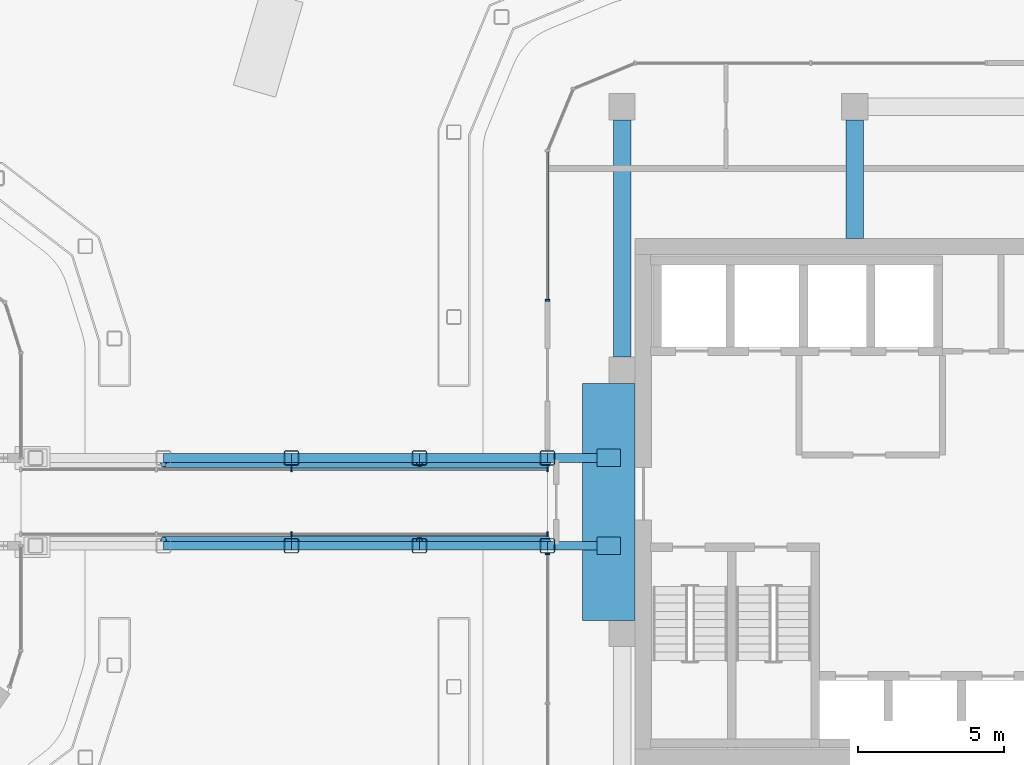
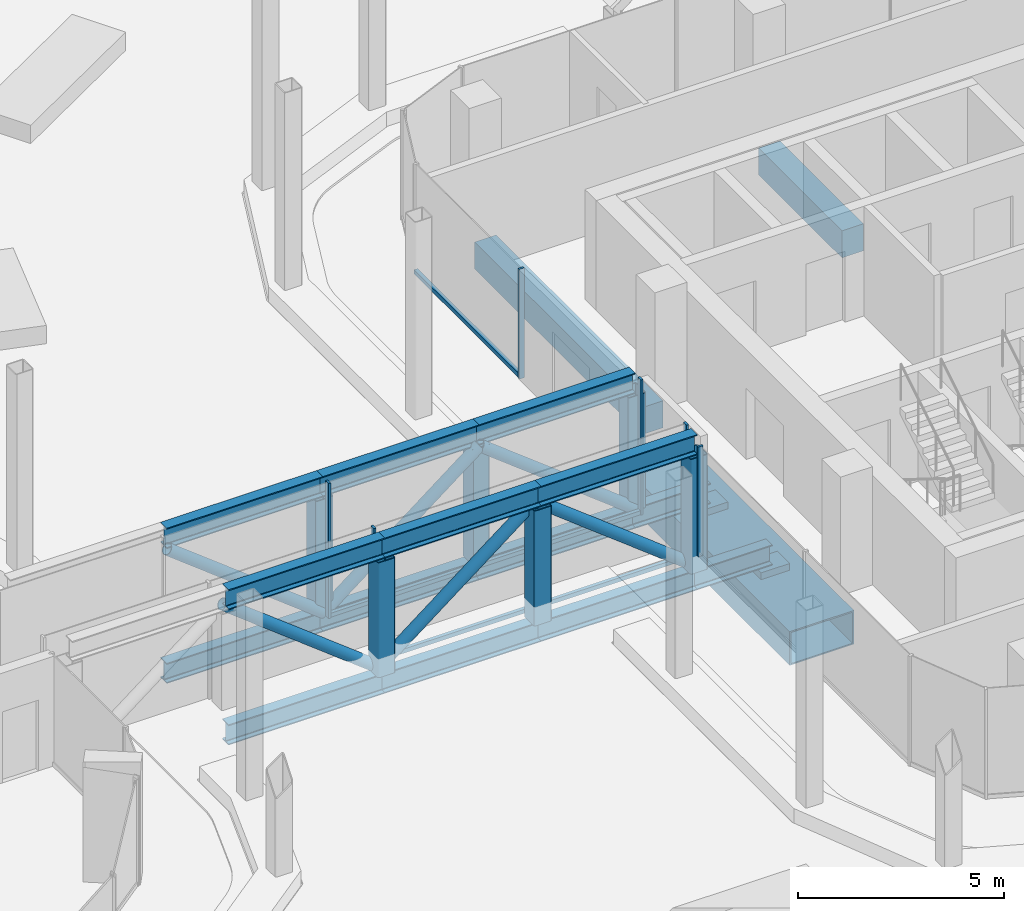
# One storey, part 14 of 33: 37 members, 3 beams, 4 elements without a shape of their own.
"""IFC4 building model written with IfcOpenShell, lengths in metres."""

from ifc_helpers import new_model, si_unit, direction, frame, origin, origin_2d, place, context, subcontext, project, spatial, rectangle, hollow_rectangle, hollow_circle, i_section, extrude, material, layer, layer_set, material_profile, profile_set, type_object, element, aggregate, save


model = new_model("IFC4")

# Units and contexts
model_context = context("Model", 3, precision=1e-05, world=origin(), true_north=direction((0.0, 1.0)))
body_context = subcontext(model_context, "Body", "Model", "MODEL_VIEW")
ifc_project = project(units=[si_unit("LENGTHUNIT", "METRE"), si_unit("AREAUNIT", "SQUARE_METRE"), si_unit("VOLUMEUNIT", "CUBIC_METRE"), si_unit("PLANEANGLEUNIT", "RADIAN"), si_unit("MASSUNIT", "GRAM", prefix="KILO")], contexts=[model_context])

# Site, building, storey
site_placement = place(None, origin())
site = spatial("IfcSite", under=ifc_project, at=site_placement, CompositionType="ELEMENT")
building_placement = place(site_placement, origin())
building = spatial("IfcBuilding", under=site, at=building_placement, Name="Plateau Cross Towers", CompositionType="ELEMENT")
storey_placement = place(building_placement, frame((0.0, 0.0, 26.800048828125)))
storey = spatial("IfcBuildingStorey", under=building, at=storey_placement, Name="L05", CompositionType="ELEMENT", Elevation=26.800048828125)

# Beams
ifc_material_1 = material(Name="Steel S355", Category="steel")
ifc_material_profile_1 = material_profile(ifc_material_1, hollow_rectangle(XDim=1.800048828125, YDim=1.0, WallThickness=0.0400390625, at=origin_2d()), Name="BOX 1000x1800x40")
ifc_profile_set_1 = profile_set([ifc_material_profile_1], Name="Steel S355")
beam_type_1 = type_object("IfcBeamType", Name="Bridge seat beam BOX 1000x1800x40", PredefinedType="BEAM", material=ifc_profile_set_1)
beam_1_placement = place(storey_placement, frame((74.10009765625, 4.949951171875, -1.800048828125), z_axis=(0.0, 1.0, 0.0), x_axis=(-1.0, 0.0, 0.0)))
element("IfcBeam", 1, at=beam_1_placement, inside=storey, type_object=beam_type_1, Name="BR-P-SEATBEAM", PredefinedType="BEAM", context=body_context, shape_type="SweptSolid", body=[
    extrude(hollow_rectangle(XDim=1.800048828125, YDim=1.0, WallThickness=0.0400390625, at=origin_2d()), origin(), (0.0, 0.0, 1.0), 8.10009765625),
])
ifc_material_2 = material(Name="Concrete C60/75", Category="concrete")
ifc_material_profile_2 = material_profile(ifc_material_2, rectangle(XDim=0.60009765625, YDim=0.800048828125, at=origin_2d()), Name="RC 600x800")
ifc_profile_set_2 = profile_set([ifc_material_profile_2], Name="Concrete C60/75")
beam_type_2 = type_object("IfcBeamType", Name="Core beam RC 600x800", PredefinedType="BEAM", material=ifc_profile_set_2)
beam_2_placement = place(storey_placement, frame((82.5, 18.0, -0.900146484375), z_axis=(0.0, 1.0, 0.0), x_axis=(-1.0, 0.0, 0.0)))
element("IfcBeam", 2, at=beam_2_placement, inside=storey, type_object=beam_type_2, Name="B-CB04@L05", PredefinedType="BEAM", context=body_context, shape_type="SweptSolid", body=[
    extrude(rectangle(XDim=0.60009765625, YDim=0.800048828125, at=origin_2d()), origin(), (0.0, 0.0, 1.0), 4.050048828125),
])

# Curtain wall, member
ifc_material_3 = material(Name="Dark low-iron glass", Category="glass")
ifc_layer_1 = layer(ifc_material_3, 0.239990234375)
ifc_layer_set_1 = layer_set([ifc_layer_1], Name="Dark low-iron glass")
curtain_wall_type_1 = type_object("IfcCurtainWallType", Name="Curtain wall office unitised CW-F", PredefinedType="NOTDEFINED", material=ifc_layer_set_1)
curtain_wall_1_placement = place(storey_placement, origin())
curtain_wall_1 = element("IfcCurtainWall", 3, at=curtain_wall_1_placement, inside=storey, type_object=curtain_wall_type_1, Name="ENV/B/L05/B720_210", PredefinedType="NOTDEFINED")
ifc_material_4 = material(Name="Black anodised aluminium", Category="aluminium")
ifc_material_profile_3 = material_profile(ifc_material_4, rectangle(XDim=0.06005859375, YDim=0.139892578125, at=origin_2d()), Name="MULLION 60x140")
ifc_profile_set_3 = profile_set([ifc_material_profile_3], Name="Black anodised aluminium")
member_type_1 = type_object("IfcMemberType", Name="Mullion 60x140 office unitised", PredefinedType="MULLION", material=ifc_profile_set_3)
member_1_placement = place(storey_placement, frame((72.0, 15.892578125, 0.0), z_axis=(0.0, 0.0, 1.0), x_axis=(0.0, -1.0, 0.0)))
member_1 = element("IfcMember", 4, at=member_1_placement, type_object=member_type_1, Name="CW-F mullion 2", PredefinedType="MULLION", context=body_context, shape_type="SweptSolid", body=[
    extrude(rectangle(XDim=0.06005859375, YDim=0.139892578125, at=origin_2d()), origin(), (0.0, 0.0, 1.0), 3.25),
])

curtain_wall_2_placement = place(storey_placement, origin())
curtain_wall_2 = element("IfcCurtainWall", 5, at=curtain_wall_2_placement, inside=storey, type_object=curtain_wall_type_1, Name="ENV/B/L05/B720_72", PredefinedType="NOTDEFINED")
member_2_placement = place(storey_placement, frame((72.0, 7.215087890625, 0.0), z_axis=(0.0, 0.0, 1.0), x_axis=(0.0, -1.0, 0.0)))
member_2 = element("IfcMember", 6, at=member_2_placement, type_object=member_type_1, Name="CW-F mullion 1", PredefinedType="MULLION", context=body_context, shape_type="SweptSolid", body=[
    extrude(rectangle(XDim=0.06005859375, YDim=0.139892578125, at=origin_2d()), origin(), (0.0, 0.0, 1.0), 3.25),
])
aggregate(curtain_wall_2, [member_2])

# Curtain wall, members
ifc_material_5 = material(Name="Dark low-iron laminated glass", Category="glass")
ifc_layer_2 = layer(ifc_material_5, 0.25)
ifc_layer_set_2 = layer_set([ifc_layer_2], Name="Dark low-iron laminated glass")
curtain_wall_type_2 = type_object("IfcCurtainWallType", Name="Curtain wall bridge CW-E", PredefinedType="NOTDEFINED", material=ifc_layer_set_2)
curtain_wall_3_placement = place(storey_placement, origin())
curtain_wall_3 = element("IfcCurtainWall", 7, at=curtain_wall_3_placement, inside=storey, type_object=curtain_wall_type_2, Name="ENV/BR/L05/BR-P-south-2", PredefinedType="NOTDEFINED")
ifc_material_profile_4 = material_profile(ifc_material_4, rectangle(XDim=0.06005859375, YDim=0.14990234375, at=origin_2d()), Name="MULLION 60x150")
ifc_profile_set_4 = profile_set([ifc_material_profile_4], Name="Black anodised aluminium")
member_type_2 = type_object("IfcMemberType", Name="Mullion 60x150 bridge", PredefinedType="MULLION", material=ifc_profile_set_4)
member_3_placement = place(storey_placement, frame((63.25, 7.89990234375, -0.5), z_axis=(0.0, 0.0, 1.0), x_axis=(1.0, 0.0, 0.0)))
member_3 = element("IfcMember", 8, at=member_3_placement, type_object=member_type_2, Name="CW-E mullion 1", PredefinedType="MULLION", context=body_context, shape_type="SweptSolid", body=[
    extrude(rectangle(XDim=0.06005859375, YDim=0.14990234375, at=origin_2d()), origin(), (0.0, 0.0, 1.0), 4.0),
])
member_4_placement = place(storey_placement, frame((72.0, 7.89990234375, -0.5), z_axis=(0.0, 0.0, 1.0), x_axis=(1.0, 0.0, 0.0)))
member_4 = element("IfcMember", 9, at=member_4_placement, type_object=member_type_2, Name="CW-E mullion 2", PredefinedType="MULLION", context=body_context, shape_type="SweptSolid", body=[
    extrude(rectangle(XDim=0.06005859375, YDim=0.14990234375, at=origin_2d()), origin(), (0.0, 0.0, 1.0), 4.0),
])

curtain_wall_4_placement = place(storey_placement, origin())
curtain_wall_4 = element("IfcCurtainWall", 10, at=curtain_wall_4_placement, inside=storey, type_object=curtain_wall_type_2, Name="ENV/BR/L05/BR-P-north-2", PredefinedType="NOTDEFINED")
member_5_placement = place(storey_placement, frame((63.25, 10.10009765625, -0.5), z_axis=(0.0, 0.0, 1.0), x_axis=(1.0, 0.0, 0.0)))
member_5 = element("IfcMember", 11, at=member_5_placement, type_object=member_type_2, Name="CW-E mullion 1", PredefinedType="MULLION", context=body_context, shape_type="SweptSolid", body=[
    extrude(rectangle(XDim=0.06005859375, YDim=0.14990234375, at=origin_2d()), origin(), (0.0, 0.0, 1.0), 4.0),
])
member_6_placement = place(storey_placement, frame((72.0, 10.10009765625, -0.5), z_axis=(0.0, 0.0, 1.0), x_axis=(1.0, 0.0, 0.0)))
member_6 = element("IfcMember", 12, at=member_6_placement, type_object=member_type_2, Name="CW-E mullion 2", PredefinedType="MULLION", context=body_context, shape_type="SweptSolid", body=[
    extrude(rectangle(XDim=0.06005859375, YDim=0.14990234375, at=origin_2d()), origin(), (0.0, 0.0, 1.0), 4.0),
])

# Members
ifc_material_profile_5 = material_profile(ifc_material_1, i_section(OverallWidth=0.300048828125, OverallDepth=0.60009765625, WebThickness=0.015380859375, FlangeThickness=0.030029296875, FilletRadius=0.027099609375, at=origin_2d()), Name="HE 600 B")
ifc_profile_set_5 = profile_set([ifc_material_profile_5], Name="Steel S355")
member_type_3 = type_object("IfcMemberType", Name="Podium bridge truss chord HE 600 B", PredefinedType="CHORD", material=ifc_profile_set_5)
for number, where, z_axis, x_axis, name in (
    (13, (58.875, 7.5, -0.800048828125), (1.0, 0.0, 0.0), (0.0, 1.0, 0.0), "BR-P-T1-B2"),
    (14, (58.875, 7.5, 3.199951171875), (1.0, 0.0, 0.0), (0.0, 1.0, 0.0), "BR-P-T1-T2"),
    (15, (63.25, 7.5, -0.800048828125), (1.0, 0.0, 0.0), (0.0, 1.0, 0.0), "BR-P-T1-B3"),
    (16, (63.25, 7.5, 3.199951171875), (1.0, 0.0, 0.0), (0.0, 1.0, 0.0), "BR-P-T1-T3"),
    (17, (67.625, 7.5, -0.800048828125), (1.0, 0.0, 0.0), (0.0, 1.0, 0.0), "BR-P-T1-B4"),
    (18, (67.625, 7.5, 3.199951171875), (1.0, 0.0, 0.0), (0.0, 1.0, 0.0), "BR-P-T1-T4"),
):
    element("IfcMember", number, at=place(storey_placement, frame(where, z_axis=z_axis, x_axis=x_axis)), inside=storey, type_object=member_type_3, Name=name, PredefinedType="CHORD", context=body_context, shape_type="SweptSolid", body=[
        extrude(i_section(OverallWidth=0.300048828125, OverallDepth=0.60009765625, WebThickness=0.015380859375, FlangeThickness=0.030029296875, FilletRadius=0.027099609375, at=origin_2d()), origin(), (0.0, 0.0, 1.0), 4.375),
    ])
member_7_placement = place(storey_placement, frame((72.0, 7.5, -0.800048828125), z_axis=(1.0, 0.0, 0.0), x_axis=(0.0, 1.0, 0.0)))
element("IfcMember", 19, at=member_7_placement, inside=storey, type_object=member_type_3, Name="BR-P-T1-SEAT", PredefinedType="CHORD", context=body_context, shape_type="SweptSolid", body=[
    extrude(i_section(OverallWidth=0.300048828125, OverallDepth=0.60009765625, WebThickness=0.015380859375, FlangeThickness=0.030029296875, FilletRadius=0.027099609375, at=origin_2d()), origin(), (0.0, 0.0, 1.0), 2.10009765625),
])
for number, where, z_axis, x_axis, name in (
    (20, (58.875, 10.5, -0.800048828125), (1.0, 0.0, 0.0), (0.0, 1.0, 0.0), "BR-P-T2-B2"),
    (21, (58.875, 10.5, 3.199951171875), (1.0, 0.0, 0.0), (0.0, 1.0, 0.0), "BR-P-T2-T2"),
    (22, (63.25, 10.5, -0.800048828125), (1.0, 0.0, 0.0), (0.0, 1.0, 0.0), "BR-P-T2-B3"),
    (23, (63.25, 10.5, 3.199951171875), (1.0, 0.0, 0.0), (0.0, 1.0, 0.0), "BR-P-T2-T3"),
    (24, (67.625, 10.5, -0.800048828125), (1.0, 0.0, 0.0), (0.0, 1.0, 0.0), "BR-P-T2-B4"),
    (25, (67.625, 10.5, 3.199951171875), (1.0, 0.0, 0.0), (0.0, 1.0, 0.0), "BR-P-T2-T4"),
):
    element("IfcMember", number, at=place(storey_placement, frame(where, z_axis=z_axis, x_axis=x_axis)), inside=storey, type_object=member_type_3, Name=name, PredefinedType="CHORD", context=body_context, shape_type="SweptSolid", body=[
        extrude(i_section(OverallWidth=0.300048828125, OverallDepth=0.60009765625, WebThickness=0.015380859375, FlangeThickness=0.030029296875, FilletRadius=0.027099609375, at=origin_2d()), origin(), (0.0, 0.0, 1.0), 4.375),
    ])
member_8_placement = place(storey_placement, frame((72.0, 10.5, -0.800048828125), z_axis=(1.0, 0.0, 0.0), x_axis=(0.0, 1.0, 0.0)))
element("IfcMember", 26, at=member_8_placement, inside=storey, type_object=member_type_3, Name="BR-P-T2-SEAT", PredefinedType="CHORD", context=body_context, shape_type="SweptSolid", body=[
    extrude(i_section(OverallWidth=0.300048828125, OverallDepth=0.60009765625, WebThickness=0.015380859375, FlangeThickness=0.030029296875, FilletRadius=0.027099609375, at=origin_2d()), origin(), (0.0, 0.0, 1.0), 2.10009765625),
])
ifc_material_profile_6 = material_profile(ifc_material_1, hollow_circle(Radius=0.161865234375, WallThickness=0.012451171875, at=origin_2d()), Name="CHS 323.9x12.5")
ifc_profile_set_6 = profile_set([ifc_material_profile_6], Name="Steel S355")
member_type_4 = type_object("IfcMemberType", Name="Podium bridge truss diagonal CHS 323.9x12.5", PredefinedType="BRACE", material=ifc_profile_set_6)
for number, where, z_axis, x_axis, name in (
    (27, (58.875, 7.657958984375, 2.89990234375), (0.789603647501, 0.0, -0.613617209548), (0.0, 1.0, 0.0), "BR-P-T1-D2"),
    (28, (63.25, 7.657958984375, -0.5), (0.789603647501, 0.0, 0.613617209548), (0.0, 1.0, 0.0), "BR-P-T1-D3"),
    (29, (67.625, 7.657958984375, 2.89990234375), (0.789603647501, 0.0, -0.613617209548), (0.0, 1.0, 0.0), "BR-P-T1-D4"),
    (30, (58.875, 10.342041015625, 2.89990234375), (0.789603647501, 0.0, -0.613617209548), (0.0, 1.0, 0.0), "BR-P-T2-D2"),
    (31, (63.25, 10.342041015625, -0.5), (0.789603647501, 0.0, 0.613617209548), (0.0, 1.0, 0.0), "BR-P-T2-D3"),
    (32, (67.625, 10.342041015625, 2.89990234375), (0.789603647501, 0.0, -0.613617209548), (0.0, 1.0, 0.0), "BR-P-T2-D4"),
):
    element("IfcMember", number, at=place(storey_placement, frame(where, z_axis=z_axis, x_axis=x_axis)), inside=storey, type_object=member_type_4, Name=name, PredefinedType="BRACE", context=body_context, shape_type="SweptSolid", body=[
        extrude(hollow_circle(Radius=0.161865234375, WallThickness=0.012451171875, at=origin_2d()), origin(), (0.0, 0.0, 1.0), 5.540771484375),
    ])
ifc_material_profile_7 = material_profile(ifc_material_1, hollow_rectangle(XDim=0.5, YDim=0.5, WallThickness=0.02490234375, InnerFilletRadius=0.02490234375, OuterFilletRadius=0.050048828125, at=origin_2d()), Name="SHS 500x500x25")
ifc_profile_set_7 = profile_set([ifc_material_profile_7], Name="Steel S355")
member_type_5 = type_object("IfcMemberType", Name="Podium bridge truss post SHS 500x500x25", PredefinedType="POST", material=ifc_profile_set_7)
for number, where, z_axis, x_axis, name in (
    (33, (63.25, 7.5, -0.5), (0.0, 0.0, 1.0), (1.0, 0.0, 0.0), "BR-P-T1-V3"),
    (34, (67.625, 7.5, -0.5), (0.0, 0.0, 1.0), (1.0, 0.0, 0.0), "BR-P-T1-V4"),
    (35, (72.0, 7.5, -0.5), (0.0, 0.0, 1.0), (1.0, 0.0, 0.0), "BR-P-T1-V5"),
    (36, (63.25, 10.5, -0.5), (0.0, 0.0, 1.0), (1.0, 0.0, 0.0), "BR-P-T2-V3"),
    (37, (67.625, 10.5, -0.5), (0.0, 0.0, 1.0), (1.0, 0.0, 0.0), "BR-P-T2-V4"),
    (38, (72.0, 10.5, -0.5), (0.0, 0.0, 1.0), (1.0, 0.0, 0.0), "BR-P-T2-V5"),
):
    element("IfcMember", number, at=place(storey_placement, frame(where, z_axis=z_axis, x_axis=x_axis)), inside=storey, type_object=member_type_5, Name=name, PredefinedType="POST", context=body_context, shape_type="SweptSolid", body=[
        extrude(hollow_rectangle(XDim=0.5, YDim=0.5, WallThickness=0.02490234375, InnerFilletRadius=0.02490234375, OuterFilletRadius=0.050048828125, at=origin_2d()), origin(), (0.0, 0.0, 1.0), 3.39990234375),
    ])

# Beam
ifc_material_profile_8 = material_profile(ifc_material_2, rectangle(XDim=0.60009765625, YDim=0.800048828125, at=origin_2d()), Name="RC 600x800")
ifc_profile_set_8 = profile_set([ifc_material_profile_8], Name="Concrete C60/75")
beam_type_3 = type_object("IfcBeamType", Name="Ring beam RC 600x800", PredefinedType="BEAM", material=ifc_profile_set_8)
beam_3_placement = place(storey_placement, frame((74.550048828125, 22.050048828125, -0.900146484375), z_axis=(0.0, -1.0, 0.0), x_axis=(1.0, 0.0, 0.0)))
element("IfcBeam", 39, at=beam_3_placement, inside=storey, type_object=beam_type_3, Name="B-RB08@L05", PredefinedType="BEAM", context=body_context, shape_type="SweptSolid", body=[
    extrude(rectangle(XDim=0.60009765625, YDim=0.800048828125, at=origin_2d()), origin(), (0.0, 0.0, 1.0), 8.10009765625),
])

# Members
ifc_layer_3 = layer(ifc_material_1, 0.199951171875)
ifc_layer_set_3 = layer_set([ifc_layer_3], Name="Steel S355")
member_type_6 = type_object("IfcMemberType", Name="Sliding bridge bearing BRG 800x600", PredefinedType="USERDEFINED", material=ifc_layer_set_3)
for number, where, z_axis, x_axis, name in (
    (40, (74.10009765625, 7.5, -1.2998046875), (0.0, 0.0, 1.0), (1.0, 0.0, 0.0), "Podium bridge sliding bearing 1"),
    (41, (74.10009765625, 10.5, -1.2998046875), (0.0, 0.0, 1.0), (1.0, 0.0, 0.0), "Podium bridge sliding bearing 2"),
):
    element("IfcMember", number, at=place(storey_placement, frame(where, z_axis=z_axis, x_axis=x_axis)), inside=storey, type_object=member_type_6, Name=name, ObjectType="BEARING", PredefinedType="USERDEFINED", context=body_context, shape_type="SweptSolid", body=[
        extrude(rectangle(XDim=0.800048828125, YDim=0.60009765625, at=origin_2d()), origin(), (0.0, 0.0, 1.0), 0.199951171875),
    ])

# Member
ifc_material_profile_9 = material_profile(ifc_material_4, rectangle(XDim=0.10009765625, YDim=0.1201171875, at=origin_2d()), Name="TRANSOM 100x120")
ifc_profile_set_9 = profile_set([ifc_material_profile_9], Name="Black anodised aluminium")
member_type_7 = type_object("IfcMemberType", Name="Transom 100x120 bridge", PredefinedType="USERDEFINED", material=ifc_profile_set_9)
member_9_placement = place(storey_placement, frame((63.25, 7.89990234375, -0.43994140625), z_axis=(1.0, 0.0, 0.0), x_axis=(0.0, 1.0, 0.0)))
member_9 = element("IfcMember", 42, at=member_9_placement, type_object=member_type_7, Name="CW-E transom", ObjectType="TRANSOM", PredefinedType="USERDEFINED", context=body_context, shape_type="SweptSolid", body=[
    extrude(rectangle(XDim=0.10009765625, YDim=0.1201171875, at=origin_2d()), origin(), (0.0, 0.0, 1.0), 8.75),
])

aggregate(curtain_wall_3, [member_3, member_4, member_9])

member_10_placement = place(storey_placement, frame((63.25, 10.10009765625, -0.43994140625), z_axis=(1.0, 0.0, 0.0), x_axis=(0.0, 1.0, 0.0)))
member_10 = element("IfcMember", 43, at=member_10_placement, type_object=member_type_7, Name="CW-E transom", ObjectType="TRANSOM", PredefinedType="USERDEFINED", context=body_context, shape_type="SweptSolid", body=[
    extrude(rectangle(XDim=0.10009765625, YDim=0.1201171875, at=origin_2d()), origin(), (0.0, 0.0, 1.0), 8.75),
])

aggregate(curtain_wall_4, [member_5, member_6, member_10])

ifc_material_profile_10 = material_profile(ifc_material_4, rectangle(XDim=0.10009765625, YDim=0.1201171875, at=origin_2d()), Name="TRANSOM 100x120")
ifc_profile_set_10 = profile_set([ifc_material_profile_10], Name="Black anodised aluminium")
member_type_8 = type_object("IfcMemberType", Name="Transom 100x120 office unitised", PredefinedType="USERDEFINED", material=ifc_profile_set_10)
member_11_placement = place(storey_placement, frame((72.0, 21.0, 0.06005859375), z_axis=(0.0, -1.0, 0.0), x_axis=(1.0, 0.0, 0.0)))
member_11 = element("IfcMember", 44, at=member_11_placement, type_object=member_type_8, Name="CW-F transom", ObjectType="TRANSOM", PredefinedType="USERDEFINED", context=body_context, shape_type="SweptSolid", body=[
    extrude(rectangle(XDim=0.10009765625, YDim=0.1201171875, at=origin_2d()), origin(), (0.0, 0.0, 1.0), 5.107421875),
])

aggregate(curtain_wall_1, [member_1, member_11])

save(model, "model.ifc")
